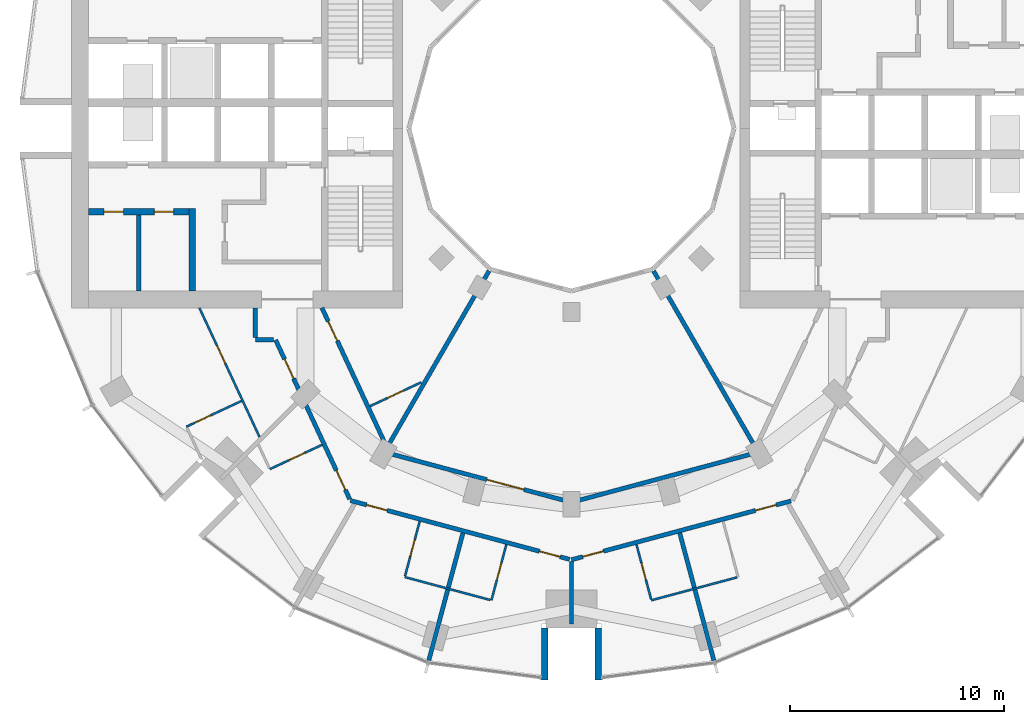
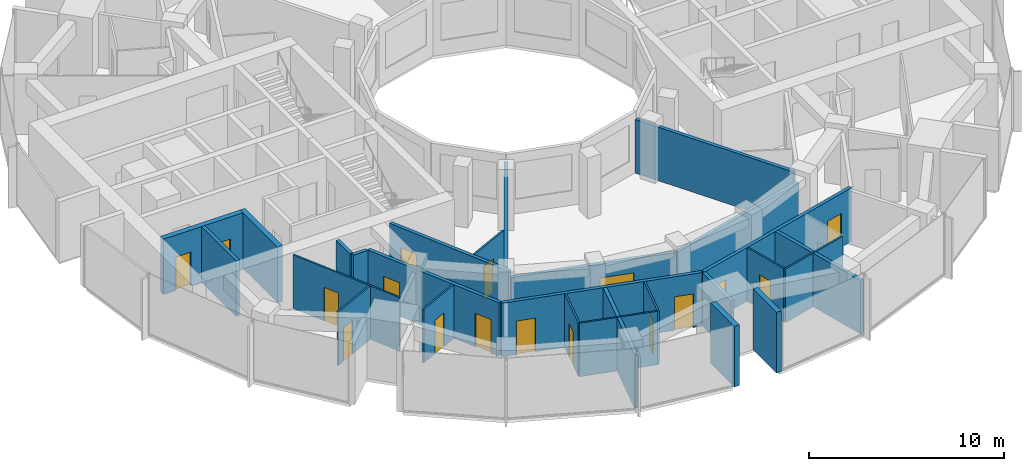
# One storey, part 8 of 15: 27 walls, 17 doors, 17 openings.
"""IFC4 building model written with IfcOpenShell, lengths in metres."""

from ifc_helpers import new_model, si_unit, direction, frame, frame_2d, origin, place, context, subcontext, project, spatial, rectangle, extrude, material, layer, layer_set, type_object, element, fill, save


model = new_model("IFC4")

# Units and contexts
model_context = context("Model", 3, precision=1e-05, world=origin(), true_north=direction((0.0, 1.0)))
body_context = subcontext(model_context, "Body", "Model", "MODEL_VIEW")
ifc_project = project(units=[si_unit("LENGTHUNIT", "METRE"), si_unit("AREAUNIT", "SQUARE_METRE"), si_unit("VOLUMEUNIT", "CUBIC_METRE"), si_unit("PLANEANGLEUNIT", "RADIAN"), si_unit("MASSUNIT", "GRAM", prefix="KILO")], contexts=[model_context])

# Site, building, storey
site_placement = place(None, origin())
site = spatial("IfcSite", under=ifc_project, at=site_placement, CompositionType="ELEMENT")
building_placement = place(site_placement, origin())
building = spatial("IfcBuilding", under=site, at=building_placement, Name="Torre Brocal", CompositionType="ELEMENT")
storey_placement = place(building_placement, frame((0.0, 0.0, 86.199951171875)))
storey = spatial("IfcBuildingStorey", under=building, at=storey_placement, Name="L19", CompositionType="ELEMENT", Elevation=86.199951171875)

# Walls
ifc_material_1 = material(Name="Masonry block", Category="masonry")
ifc_layer_1 = layer(ifc_material_1, 0.199951171875)
ifc_layer_set_1 = layer_set([ifc_layer_1], Name="Masonry block")
wall_type_1 = type_object("IfcWallType", Name="CORE PARTITION 200", PredefinedType="PARTITIONING", material=ifc_layer_set_1)
wall_1_placement = place(storey_placement, frame((59.75, 70.949951171875, 0.0), z_axis=(0.0, 0.0, 1.0), x_axis=(0.0, -1.0, 0.0)))
element("IfcWall", 1, at=wall_1_placement, inside=storey, type_object=wall_type_1, Name="Wall CP200", PredefinedType="PARTITIONING", context=body_context, shape_type="SweptSolid", body=[
    extrude(rectangle(XDim=3.550048828125, YDim=0.199951171875, at=frame_2d((1.77490234375, 0.0))), origin(), (0.0, 0.0, 1.0), 3.47998046875),
])
ifc_material_2 = material(Name="Concrete C80", Category="concrete")
ifc_layer_2 = layer(ifc_material_2, 0.300048828125)
ifc_layer_set_2 = layer_set([ifc_layer_2], Name="Concrete C80")
wall_type_2 = type_object("IfcWallType", Name="CORE WALL 300 C80", PredefinedType="SHEAR", material=ifc_layer_set_2)
wall_2_placement = place(storey_placement, frame((62.25, 71.25, 0.0), z_axis=(0.0, 0.0, 1.0), x_axis=(0.0, -1.0, 0.0)))
element("IfcWall", 2, at=wall_2_placement, inside=storey, type_object=wall_type_2, Name="Wall CW300-80", PredefinedType="SHEAR", context=body_context, shape_type="SweptSolid", body=[
    extrude(rectangle(XDim=3.85009765625, YDim=0.300048828125, at=frame_2d((1.925048828125, 0.0))), origin(), (0.0, 0.0, 1.0), 3.47998046875),
])

# Wall, openings, doors
wall_3_placement = place(storey_placement, frame((62.10009765625, 71.10009765625, 0.0), z_axis=(0.0, 0.0, 1.0), x_axis=(-1.0, 0.0, 0.0)))
wall_3 = element("IfcWall", 3, at=wall_3_placement, inside=storey, type_object=wall_type_2, Name="Wall CW300-80", PredefinedType="SHEAR", context=body_context, shape_type="SweptSolid", body=[
    extrude(rectangle(XDim=4.7001953125, YDim=0.300048828125, at=frame_2d((2.35009765625, 0.0))), origin(), (0.0, 0.0, 1.0), 3.47998046875),
])
opening_1_placement = place(wall_3_placement, frame((0.72509765625, 0.0, 0.0)))
opening_1 = element("IfcOpeningElement", 4, at=opening_1_placement, cuts=wall_3, Name="Opening W-D05", PredefinedType="OPENING", context=body_context, shape_type="SweptSolid", body=[
    extrude(rectangle(XDim=0.89990234375, YDim=2.10009765625, at=frame_2d((0.449951171875, 1.050048828125))), frame((0.0, 0.159912109375, 0.0), z_axis=(0.0, -1.0, 0.0), x_axis=(1.0, 0.0, 0.0)), (0.0, 0.0, 1.0), 0.320068359375),
])
opening_2_placement = place(wall_3_placement, frame((3.074951171875, 0.0, 0.0)))
opening_2 = element("IfcOpeningElement", 5, at=opening_2_placement, cuts=wall_3, Name="Opening W-D06", PredefinedType="OPENING", context=body_context, shape_type="SweptSolid", body=[
    extrude(rectangle(XDim=0.89990234375, YDim=2.10009765625, at=frame_2d((0.449951171875, 1.050048828125))), frame((0.0, 0.159912109375, 0.0), z_axis=(0.0, -1.0, 0.0), x_axis=(1.0, 0.0, 0.0)), (0.0, 0.0, 1.0), 0.320068359375),
])
ifc_material_3 = material(Name="Steel A653", Category="steel")
door_type_1 = type_object("IfcDoorType", Name="ROOM DOOR FD30S 900X2100", OperationType="SINGLE_SWING_LEFT", PredefinedType="DOOR", material=ifc_material_3)
door_1_placement = place(opening_1_placement, origin())
door_1 = element("IfcDoor", 6, at=door_1_placement, inside=storey, type_object=door_type_1, Name="Door W-D05", OperationType="SINGLE_SWING_RIGHT", OverallHeight=2.10009765625, OverallWidth=0.89990234375, PredefinedType="DOOR", context=body_context, shape_type="SweptSolid", body=[
    extrude(rectangle(XDim=0.89990234375, YDim=2.10009765625, at=frame_2d((0.449951171875, 1.050048828125))), frame((0.0, 0.02490234375, 0.0), z_axis=(0.0, -1.0, 0.0), x_axis=(1.0, 0.0, 0.0)), (0.0, 0.0, 1.0), 0.050048828125),
])
fill(opening_1, door_1)
door_2_placement = place(opening_2_placement, origin())
door_2 = element("IfcDoor", 7, at=door_2_placement, inside=storey, type_object=door_type_1, Name="Door W-D06", OperationType="SINGLE_SWING_LEFT", OverallHeight=2.10009765625, OverallWidth=0.89990234375, PredefinedType="DOOR", context=body_context, shape_type="SweptSolid", body=[
    extrude(rectangle(XDim=0.89990234375, YDim=2.10009765625, at=frame_2d((0.449951171875, 1.050048828125))), frame((0.0, 0.02490234375, 0.0), z_axis=(0.0, -1.0, 0.0), x_axis=(1.0, 0.0, 0.0)), (0.0, 0.0, 1.0), 0.050048828125),
])
fill(opening_2, door_2)

# Walls
ifc_material_4 = material(Name="Concrete C80", Category="concrete")
ifc_layer_3 = layer(ifc_material_4, 0.300048828125)
ifc_layer_set_3 = layer_set([ifc_layer_3], Name="Concrete C80")
wall_type_3 = type_object("IfcWallType", Name="NOTCH RETURN WALL 300 C80", PredefinedType="NOTDEFINED", material=ifc_layer_set_3)
for number, where, z_axis, x_axis, name in (
    (8, (78.75, 51.60009765625, 0.0), (0.0, 0.0, 1.0), (0.0, -1.0, 0.0), "NOTCH RETURN WALL"),
    (9, (81.25, 51.60009765625, 0.0), (0.0, 0.0, 1.0), (0.0, -1.0, 0.0), "NOTCH RETURN WALL"),
):
    element("IfcWall", number, at=place(storey_placement, frame(where, z_axis=z_axis, x_axis=x_axis)), inside=storey, type_object=wall_type_3, Name=name, PredefinedType="NOTDEFINED", context=body_context, shape_type="SweptSolid", body=[
        extrude(rectangle(XDim=2.415771484375, YDim=0.300048828125, at=frame_2d((1.2080078125, 0.0))), origin(), (0.0, 0.0, 1.0), 3.800048828125),
    ])

# Wall, opening, door
ifc_material_5 = material(Name="Gypsum board", Category="Gypsum")
ifc_layer_4 = layer(ifc_material_5, 0.10009765625)
ifc_layer_set_4 = layer_set([ifc_layer_4], Name="Gypsum board")
wall_type_4 = type_object("IfcWallType", Name="PARTITION 100", PredefinedType="PARTITIONING", material=ifc_layer_set_4)
wall_4_placement = place(storey_placement, frame((61.97509765625, 61.037109375, 0.0), z_axis=(0.0, 0.0, 1.0), x_axis=(0.906360368959, 0.422505481125, 0.0)))
wall_4 = element("IfcWall", 10, at=wall_4_placement, inside=storey, type_object=wall_type_4, Name="BATHROOM WALL", PredefinedType="PARTITIONING", context=body_context, shape_type="SweptSolid", body=[
    extrude(rectangle(XDim=2.849365234375, YDim=0.10009765625, at=frame_2d((1.4248046875, 0.0))), origin(), (0.0, 0.0, 1.0), 3.35009765625),
])
opening_3_placement = place(wall_4_placement, frame((0.44970703125, 0.0, 0.0)))
opening_3 = element("IfcOpeningElement", 11, at=opening_3_placement, cuts=wall_4, Name="Opening H05-D40", PredefinedType="OPENING", context=body_context, shape_type="SweptSolid", body=[
    extrude(rectangle(XDim=0.800048828125, YDim=2.10009765625, at=frame_2d((0.39990234375, 1.050048828125))), frame((0.0, 0.06005859375, 0.0), z_axis=(0.0, -1.0, 0.0), x_axis=(1.0, 0.0, 0.0)), (0.0, 0.0, 1.0), 0.1201171875),
])
ifc_material_6 = material(Name="Timber", Category="wood")
door_type_2 = type_object("IfcDoorType", Name="BATHROOM DOOR 800X2100", OperationType="SINGLE_SWING_LEFT", PredefinedType="DOOR", material=ifc_material_6)
door_3_placement = place(opening_3_placement, frame((0.800048828125, 0.0, 0.0), z_axis=(0.0, 0.0, 1.0), x_axis=(-1.0, 0.0, 0.0)))
door_3 = element("IfcDoor", 12, at=door_3_placement, inside=storey, type_object=door_type_2, Name="H05-D40", OperationType="SINGLE_SWING_RIGHT", OverallHeight=2.10009765625, OverallWidth=0.800048828125, PredefinedType="DOOR", context=body_context, shape_type="SweptSolid", body=[
    extrude(rectangle(XDim=0.800048828125, YDim=2.10009765625, at=frame_2d((0.39990234375, 1.050048828125))), frame((0.0, 0.02490234375, 0.0), z_axis=(0.0, -1.0, 0.0), x_axis=(1.0, 0.0, 0.0)), (0.0, 0.0, 1.0), 0.050048828125),
])
fill(opening_3, door_3)

wall_5_placement = place(storey_placement, frame((62.58203125, 66.60009765625, 0.0), z_axis=(0.0, 0.0, 1.0), x_axis=(0.422283870085, -0.906463641337, 0.0)))
wall_5 = element("IfcWall", 13, at=wall_5_placement, inside=storey, type_object=wall_type_4, Name="BATHROOM WALL", PredefinedType="PARTITIONING", context=body_context, shape_type="SweptSolid", body=[
    extrude(rectangle(XDim=6.666015625, YDim=0.10009765625, at=frame_2d((3.3330078125, 0.0))), origin(), (0.0, 0.0, 1.0), 3.35009765625),
])
opening_4_placement = place(wall_5_placement, frame((1.95263671875, 0.0, 0.0)))
opening_4 = element("IfcOpeningElement", 14, at=opening_4_placement, cuts=wall_5, Name="Opening H05-D39", PredefinedType="OPENING", context=body_context, shape_type="SweptSolid", body=[
    extrude(rectangle(XDim=0.89990234375, YDim=2.10009765625, at=frame_2d((0.449951171875, 1.050048828125))), frame((0.0, 0.06005859375, 0.0), z_axis=(0.0, -1.0, 0.0), x_axis=(1.0, 0.0, 0.0)), (0.0, 0.0, 1.0), 0.1201171875),
])
ifc_material_7 = material(Name="Timber", Category="wood")
door_type_3 = type_object("IfcDoorType", Name="ROOM DOOR 900X2100", OperationType="SINGLE_SWING_LEFT", PredefinedType="DOOR", material=ifc_material_7)
door_4_placement = place(opening_4_placement, origin())
door_4 = element("IfcDoor", 15, at=door_4_placement, inside=storey, type_object=door_type_3, Name="H05-D39", OperationType="SINGLE_SWING_LEFT", OverallHeight=2.10009765625, OverallWidth=0.89990234375, PredefinedType="DOOR", context=body_context, shape_type="SweptSolid", body=[
    extrude(rectangle(XDim=0.89990234375, YDim=2.10009765625, at=frame_2d((0.449951171875, 1.050048828125))), frame((0.0, 0.02490234375, 0.0), z_axis=(0.0, -1.0, 0.0), x_axis=(1.0, 0.0, 0.0)), (0.0, 0.0, 1.0), 0.050048828125),
])
fill(opening_4, door_4)

wall_6_placement = place(storey_placement, frame((65.87890625, 59.048095703125, 0.0), z_axis=(0.0, 0.0, 1.0), x_axis=(0.906746039995, 0.421677150144, 0.0)))
wall_6 = element("IfcWall", 16, at=wall_6_placement, inside=storey, type_object=wall_type_4, Name="BATHROOM WALL", PredefinedType="PARTITIONING", context=body_context, shape_type="SweptSolid", body=[
    extrude(rectangle(XDim=2.69970703125, YDim=0.10009765625, at=frame_2d((1.349853515625, 0.0))), origin(), (0.0, 0.0, 1.0), 3.35009765625),
])
opening_5_placement = place(wall_6_placement, frame((1.0, 0.0, 0.0)))
opening_5 = element("IfcOpeningElement", 17, at=opening_5_placement, cuts=wall_6, Name="Opening H05-D37", PredefinedType="OPENING", context=body_context, shape_type="SweptSolid", body=[
    extrude(rectangle(XDim=0.800048828125, YDim=2.10009765625, at=frame_2d((0.39990234375, 1.050048828125))), frame((0.0, 0.06005859375, 0.0), z_axis=(0.0, -1.0, 0.0), x_axis=(1.0, 0.0, 0.0)), (0.0, 0.0, 1.0), 0.1201171875),
])
door_5_placement = place(opening_5_placement, origin())
door_5 = element("IfcDoor", 18, at=door_5_placement, inside=storey, type_object=door_type_2, Name="H05-D37", OperationType="SINGLE_SWING_RIGHT", OverallHeight=2.10009765625, OverallWidth=0.800048828125, PredefinedType="DOOR", context=body_context, shape_type="SweptSolid", body=[
    extrude(rectangle(XDim=0.800048828125, YDim=2.10009765625, at=frame_2d((0.39990234375, 1.050048828125))), frame((0.0, 0.02490234375, 0.0), z_axis=(0.0, -1.0, 0.0), x_axis=(1.0, 0.0, 0.0)), (0.0, 0.0, 1.0), 0.050048828125),
])
fill(opening_5, door_5)

wall_7_placement = place(storey_placement, frame((70.57373046875, 61.997314453125, 0.0), z_axis=(0.0, 0.0, 1.0), x_axis=(0.906503026865, 0.422199315826, 0.0)))
wall_7 = element("IfcWall", 19, at=wall_7_placement, inside=storey, type_object=wall_type_4, Name="BATHROOM WALL", PredefinedType="PARTITIONING", context=body_context, shape_type="SweptSolid", body=[
    extrude(rectangle(XDim=2.649658203125, YDim=0.10009765625, at=frame_2d((1.32470703125, 0.0))), origin(), (0.0, 0.0, 1.0), 3.35009765625),
])
opening_6_placement = place(wall_7_placement, frame((0.89990234375, 0.0, 0.0)))
opening_6 = element("IfcOpeningElement", 20, at=opening_6_placement, cuts=wall_7, Name="Opening H05-D45", PredefinedType="OPENING", context=body_context, shape_type="SweptSolid", body=[
    extrude(rectangle(XDim=0.800048828125, YDim=2.10009765625, at=frame_2d((0.39990234375, 1.050048828125))), frame((0.0, 0.06005859375, 0.0), z_axis=(0.0, -1.0, 0.0), x_axis=(1.0, 0.0, 0.0)), (0.0, 0.0, 1.0), 0.1201171875),
])
door_6_placement = place(opening_6_placement, frame((0.800048828125, 0.0, 0.0), z_axis=(0.0, 0.0, 1.0), x_axis=(-1.0, 0.0, 0.0)))
door_6 = element("IfcDoor", 21, at=door_6_placement, inside=storey, type_object=door_type_2, Name="H05-D45", OperationType="SINGLE_SWING_RIGHT", OverallHeight=2.10009765625, OverallWidth=0.800048828125, PredefinedType="DOOR", context=body_context, shape_type="SweptSolid", body=[
    extrude(rectangle(XDim=0.800048828125, YDim=2.10009765625, at=frame_2d((0.39990234375, 1.050048828125))), frame((0.0, 0.02490234375, 0.0), z_axis=(0.0, -1.0, 0.0), x_axis=(1.0, 0.0, 0.0)), (0.0, 0.0, 1.0), 0.050048828125),
])
fill(opening_6, door_6)

wall_8_placement = place(storey_placement, frame((72.2109375, 54.044189453125, 0.0), z_axis=(0.0, 0.0, 1.0), x_axis=(0.258866552082, 0.96591309558, 0.0)))
wall_8 = element("IfcWall", 22, at=wall_8_placement, inside=storey, type_object=wall_type_4, Name="BATHROOM WALL", PredefinedType="PARTITIONING", context=body_context, shape_type="SweptSolid", body=[
    extrude(rectangle(XDim=2.650146484375, YDim=0.10009765625, at=frame_2d((1.3251953125, 0.0))), origin(), (0.0, 0.0, 1.0), 3.35009765625),
])
opening_7_placement = place(wall_8_placement, frame((0.9501953125, 0.0, 0.0)))
opening_7 = element("IfcOpeningElement", 23, at=opening_7_placement, cuts=wall_8, Name="Opening H05-D35", PredefinedType="OPENING", context=body_context, shape_type="SweptSolid", body=[
    extrude(rectangle(XDim=0.800048828125, YDim=2.10009765625, at=frame_2d((0.39990234375, 1.050048828125))), frame((0.0, 0.06005859375, 0.0), z_axis=(0.0, -1.0, 0.0), x_axis=(1.0, 0.0, 0.0)), (0.0, 0.0, 1.0), 0.1201171875),
])
door_7_placement = place(opening_7_placement, frame((0.800048828125, 0.0, 0.0), z_axis=(0.0, 0.0, 1.0), x_axis=(-1.0, 0.0, 0.0)))
door_7 = element("IfcDoor", 24, at=door_7_placement, inside=storey, type_object=door_type_2, Name="H05-D35", OperationType="SINGLE_SWING_LEFT", OverallHeight=2.10009765625, OverallWidth=0.800048828125, PredefinedType="DOOR", context=body_context, shape_type="SweptSolid", body=[
    extrude(rectangle(XDim=0.800048828125, YDim=2.10009765625, at=frame_2d((0.39990234375, 1.050048828125))), frame((0.0, 0.02490234375, 0.0), z_axis=(0.0, -1.0, 0.0), x_axis=(1.0, 0.0, 0.0)), (0.0, 0.0, 1.0), 0.050048828125),
])
fill(opening_7, door_7)

# Wall
wall_9_placement = place(storey_placement, frame((72.197998046875, 53.99609375, 0.0), z_axis=(0.0, 0.0, 1.0), x_axis=(0.965855045962, -0.259083056549, 0.0)))
element("IfcWall", 25, at=wall_9_placement, inside=storey, type_object=wall_type_4, Name="BATHROOM WALL", PredefinedType="PARTITIONING", context=body_context, shape_type="SweptSolid", body=[
    extrude(rectangle(XDim=4.14990234375, YDim=0.10009765625, at=frame_2d((2.074951171875, 0.0))), origin(), (0.0, 0.0, 1.0), 3.35009765625),
])

# Wall, opening, door
wall_10_placement = place(storey_placement, frame((76.2548828125, 52.908935546875, 0.0), z_axis=(0.0, 0.0, 1.0), x_axis=(0.25867580527, 0.965964195904, 0.0)))
wall_10 = element("IfcWall", 26, at=wall_10_placement, inside=storey, type_object=wall_type_4, Name="BATHROOM WALL", PredefinedType="PARTITIONING", context=body_context, shape_type="SweptSolid", body=[
    extrude(rectangle(XDim=2.69921875, YDim=0.10009765625, at=frame_2d((1.349609375, 0.0))), origin(), (0.0, 0.0, 1.0), 3.35009765625),
])
opening_8_placement = place(wall_10_placement, frame((0.99951171875, 0.0, 0.0)))
opening_8 = element("IfcOpeningElement", 27, at=opening_8_placement, cuts=wall_10, Name="Opening H05-D33", PredefinedType="OPENING", context=body_context, shape_type="SweptSolid", body=[
    extrude(rectangle(XDim=0.800048828125, YDim=2.10009765625, at=frame_2d((0.39990234375, 1.050048828125))), frame((0.0, 0.06005859375, 0.0), z_axis=(0.0, -1.0, 0.0), x_axis=(1.0, 0.0, 0.0)), (0.0, 0.0, 1.0), 0.1201171875),
])
door_8_placement = place(opening_8_placement, origin())
door_8 = element("IfcDoor", 28, at=door_8_placement, inside=storey, type_object=door_type_2, Name="H05-D33", OperationType="SINGLE_SWING_RIGHT", OverallHeight=2.10009765625, OverallWidth=0.800048828125, PredefinedType="DOOR", context=body_context, shape_type="SweptSolid", body=[
    extrude(rectangle(XDim=0.800048828125, YDim=2.10009765625, at=frame_2d((0.39990234375, 1.050048828125))), frame((0.0, 0.02490234375, 0.0), z_axis=(0.0, -1.0, 0.0), x_axis=(1.0, 0.0, 0.0)), (0.0, 0.0, 1.0), 0.050048828125),
])
fill(opening_8, door_8)

wall_11_placement = place(storey_placement, frame((83.046875, 55.516357421875, 0.0), z_axis=(0.0, 0.0, 1.0), x_axis=(0.258677737588, -0.965963678446, 0.0)))
wall_11 = element("IfcWall", 29, at=wall_11_placement, inside=storey, type_object=wall_type_4, Name="BATHROOM WALL", PredefinedType="PARTITIONING", context=body_context, shape_type="SweptSolid", body=[
    extrude(rectangle(XDim=2.649169921875, YDim=0.10009765625, at=frame_2d((1.32470703125, 0.0))), origin(), (0.0, 0.0, 1.0), 3.35009765625),
])
opening_9_placement = place(wall_11_placement, frame((0.899658203125, 0.0, 0.0)))
opening_9 = element("IfcOpeningElement", 30, at=opening_9_placement, cuts=wall_11, Name="Opening H05-D31", PredefinedType="OPENING", context=body_context, shape_type="SweptSolid", body=[
    extrude(rectangle(XDim=0.800048828125, YDim=2.10009765625, at=frame_2d((0.39990234375, 1.050048828125))), frame((0.0, 0.06005859375, 0.0), z_axis=(0.0, -1.0, 0.0), x_axis=(1.0, 0.0, 0.0)), (0.0, 0.0, 1.0), 0.1201171875),
])
door_9_placement = place(opening_9_placement, origin())
door_9 = element("IfcDoor", 31, at=door_9_placement, inside=storey, type_object=door_type_2, Name="H05-D31", OperationType="SINGLE_SWING_LEFT", OverallHeight=2.10009765625, OverallWidth=0.800048828125, PredefinedType="DOOR", context=body_context, shape_type="SweptSolid", body=[
    extrude(rectangle(XDim=0.800048828125, YDim=2.10009765625, at=frame_2d((0.39990234375, 1.050048828125))), frame((0.0, 0.02490234375, 0.0), z_axis=(0.0, -1.0, 0.0), x_axis=(1.0, 0.0, 0.0)), (0.0, 0.0, 1.0), 0.050048828125),
])
fill(opening_9, door_9)

# Walls
wall_12_placement = place(storey_placement, frame((83.7451171875, 52.908935546875, 0.0), z_axis=(0.0, 0.0, 1.0), x_axis=(0.965995295758, 0.258559642196, 0.0)))
element("IfcWall", 32, at=wall_12_placement, inside=storey, type_object=wall_type_4, Name="BATHROOM WALL", PredefinedType="PARTITIONING", context=body_context, shape_type="SweptSolid", body=[
    extrude(rectangle(XDim=4.14990234375, YDim=0.10009765625, at=frame_2d((2.074951171875, 0.0))), origin(), (0.0, 0.0, 1.0), 3.35009765625),
])
ifc_material_8 = material(Name="Gypsum board", Category="Gypsum")
ifc_layer_5 = layer(ifc_material_8, 0.199951171875)
ifc_layer_set_5 = layer_set([ifc_layer_5], Name="Gypsum board")
wall_type_5 = type_object("IfcWallType", Name="PARTITION 200 EI60", PredefinedType="PARTITIONING", material=ifc_layer_set_5)
wall_13_placement = place(storey_placement, frame((65.199951171875, 65.199951171875, 0.0), z_axis=(0.0, 0.0, 1.0), x_axis=(0.0, 1.0, 0.0)))
element("IfcWall", 33, at=wall_13_placement, inside=storey, type_object=wall_type_5, Name="FLAT ENTRANCE WALL", PredefinedType="PARTITIONING", context=body_context, shape_type="SweptSolid", body=[
    extrude(rectangle(XDim=1.399169921875, YDim=0.199951171875, at=frame_2d((0.69970703125, 0.0))), origin(), (0.0, 0.0, 1.0), 3.35009765625),
])
wall_14_placement = place(storey_placement, frame((65.199951171875, 65.10009765625, 0.0), z_axis=(0.0, 0.0, 1.0), x_axis=(1.0, 0.0, 0.0)))
element("IfcWall", 34, at=wall_14_placement, inside=storey, type_object=wall_type_5, Name="FLAT ENTRANCE WALL", PredefinedType="PARTITIONING", context=body_context, shape_type="SweptSolid", body=[
    extrude(rectangle(XDim=0.859130859375, YDim=0.199951171875, at=frame_2d((0.4296875, 0.0))), origin(), (0.0, 0.0, 1.0), 3.35009765625),
])

# Wall, openings, doors
wall_15_placement = place(storey_placement, frame((66.150390625, 65.10009765625, 0.0), z_axis=(0.0, 0.0, 1.0), x_axis=(0.421874842351, -0.906654078131, 0.0)))
wall_15 = element("IfcWall", 35, at=wall_15_placement, inside=storey, type_object=wall_type_5, Name="FLAT ENTRANCE WALL", PredefinedType="PARTITIONING", context=body_context, shape_type="SweptSolid", body=[
    extrude(rectangle(XDim=8.22802734375, YDim=0.199951171875, at=frame_2d((4.114013671875, 0.0))), origin(), (0.0, 0.0, 1.0), 3.35009765625),
])
opening_10_placement = place(wall_15_placement, frame((6.748291015625, 0.0, 0.0)))
opening_10 = element("IfcOpeningElement", 36, at=opening_10_placement, cuts=wall_15, Name="Opening H05-D36", PredefinedType="OPENING", context=body_context, shape_type="SweptSolid", body=[
    extrude(rectangle(XDim=1.0, YDim=2.10009765625, at=frame_2d((0.5, 1.050048828125))), frame((0.0, 0.10986328125, 0.0), z_axis=(0.0, -1.0, 0.0), x_axis=(1.0, 0.0, 0.0)), (0.0, 0.0, 1.0), 0.219970703125),
])
opening_11_placement = place(wall_15_placement, frame((0.99658203125, 0.0, 0.0)))
opening_11 = element("IfcOpeningElement", 37, at=opening_11_placement, cuts=wall_15, Name="Opening H05-D38", PredefinedType="OPENING", context=body_context, shape_type="SweptSolid", body=[
    extrude(rectangle(XDim=1.0, YDim=2.10009765625, at=frame_2d((0.5, 1.050048828125))), frame((0.0, 0.10986328125, 0.0), z_axis=(0.0, -1.0, 0.0), x_axis=(1.0, 0.0, 0.0)), (0.0, 0.0, 1.0), 0.219970703125),
])
ifc_material_9 = material(Name="Timber", Category="wood")
door_type_4 = type_object("IfcDoorType", Name="FLAT ENTRY DOOR FD30S 1000X2100", OperationType="SINGLE_SWING_RIGHT", PredefinedType="DOOR", material=ifc_material_9)
door_10_placement = place(opening_10_placement, frame((1.0, 0.0, 0.0), z_axis=(0.0, 0.0, 1.0), x_axis=(-1.0, 0.0, 0.0)))
door_10 = element("IfcDoor", 38, at=door_10_placement, inside=storey, type_object=door_type_4, Name="H05-D36", OperationType="SINGLE_SWING_LEFT", OverallHeight=2.10009765625, OverallWidth=1.0, PredefinedType="DOOR", context=body_context, shape_type="SweptSolid", body=[
    extrude(rectangle(XDim=1.0, YDim=2.10009765625, at=frame_2d((0.5, 1.050048828125))), frame((0.0, 0.02490234375, 0.0), z_axis=(0.0, -1.0, 0.0), x_axis=(1.0, 0.0, 0.0)), (0.0, 0.0, 1.0), 0.050048828125),
])
fill(opening_10, door_10)
door_11_placement = place(opening_11_placement, frame((1.0, 0.0, 0.0), z_axis=(0.0, 0.0, 1.0), x_axis=(-1.0, 0.0, 0.0)))
door_11 = element("IfcDoor", 39, at=door_11_placement, inside=storey, type_object=door_type_4, Name="H05-D38", OperationType="SINGLE_SWING_LEFT", OverallHeight=2.10009765625, OverallWidth=1.0, PredefinedType="DOOR", context=body_context, shape_type="SweptSolid", body=[
    extrude(rectangle(XDim=1.0, YDim=2.10009765625, at=frame_2d((0.5, 1.050048828125))), frame((0.0, 0.02490234375, 0.0), z_axis=(0.0, -1.0, 0.0), x_axis=(1.0, 0.0, 0.0)), (0.0, 0.0, 1.0), 0.050048828125),
])
fill(opening_11, door_11)

# Wall, opening, door
wall_16_placement = place(storey_placement, frame((68.32080078125, 66.600341796875, 0.0), z_axis=(0.0, 0.0, 1.0), x_axis=(0.421914092414, -0.906635813666, 0.0)))
wall_16 = element("IfcWall", 40, at=wall_16_placement, inside=storey, type_object=wall_type_5, Name="GUESTROOM CORRIDOR WALL", PredefinedType="PARTITIONING", context=body_context, shape_type="SweptSolid", body=[
    extrude(rectangle(XDim=7.45947265625, YDim=0.199951171875, at=frame_2d((3.729736328125, 0.0))), origin(), (0.0, 0.0, 1.0), 3.35009765625),
])
opening_12_placement = place(wall_16_placement, frame((0.699951171875, 0.0, 0.0)))
opening_12 = element("IfcOpeningElement", 41, at=opening_12_placement, cuts=wall_16, Name="Opening H05-D44", PredefinedType="OPENING", context=body_context, shape_type="SweptSolid", body=[
    extrude(rectangle(XDim=1.0, YDim=2.10009765625, at=frame_2d((0.5, 1.050048828125))), frame((0.0, 0.10986328125, 0.0), z_axis=(0.0, -1.0, 0.0), x_axis=(1.0, 0.0, 0.0)), (0.0, 0.0, 1.0), 0.219970703125),
])
door_12_placement = place(opening_12_placement, origin())
door_12 = element("IfcDoor", 42, at=door_12_placement, inside=storey, type_object=door_type_4, Name="H05-D44", OperationType="SINGLE_SWING_LEFT", OverallHeight=2.10009765625, OverallWidth=1.0, PredefinedType="DOOR", context=body_context, shape_type="SweptSolid", body=[
    extrude(rectangle(XDim=1.0, YDim=2.10009765625, at=frame_2d((0.5, 1.050048828125))), frame((0.0, 0.02490234375, 0.0), z_axis=(0.0, -1.0, 0.0), x_axis=(1.0, 0.0, 0.0)), (0.0, 0.0, 1.0), 0.050048828125),
])
fill(opening_12, door_12)

# Wall, openings, doors
wall_17_placement = place(storey_placement, frame((69.652099609375, 57.57763671875, 0.0), z_axis=(0.0, 0.0, 1.0), x_axis=(0.965857425723, -0.259074184695, 0.0)))
wall_17 = element("IfcWall", 43, at=wall_17_placement, inside=storey, type_object=wall_type_5, Name="GUESTROOM CORRIDOR WALL", PredefinedType="PARTITIONING", context=body_context, shape_type="SweptSolid", body=[
    extrude(rectangle(XDim=10.623291015625, YDim=0.199951171875, at=frame_2d((5.3115234375, 0.0))), origin(), (0.0, 0.0, 1.0), 3.35009765625),
])
opening_13_placement = place(wall_17_placement, frame((9.1630859375, 0.0, 0.0)))
opening_13 = element("IfcOpeningElement", 44, at=opening_13_placement, cuts=wall_17, Name="Opening H05-D32", PredefinedType="OPENING", context=body_context, shape_type="SweptSolid", body=[
    extrude(rectangle(XDim=1.0, YDim=2.10009765625, at=frame_2d((0.5, 1.050048828125))), frame((0.0, 0.10986328125, 0.0), z_axis=(0.0, -1.0, 0.0), x_axis=(1.0, 0.0, 0.0)), (0.0, 0.0, 1.0), 0.219970703125),
])
opening_14_placement = place(wall_17_placement, frame((0.7880859375, 0.0, 0.0)))
opening_14 = element("IfcOpeningElement", 45, at=opening_14_placement, cuts=wall_17, Name="Opening H05-D34", PredefinedType="OPENING", context=body_context, shape_type="SweptSolid", body=[
    extrude(rectangle(XDim=1.0, YDim=2.10009765625, at=frame_2d((0.5, 1.050048828125))), frame((0.0, 0.10986328125, 0.0), z_axis=(0.0, -1.0, 0.0), x_axis=(1.0, 0.0, 0.0)), (0.0, 0.0, 1.0), 0.219970703125),
])
door_13_placement = place(opening_13_placement, frame((1.0, 0.0, 0.0), z_axis=(0.0, 0.0, 1.0), x_axis=(-1.0, 0.0, 0.0)))
door_13 = element("IfcDoor", 46, at=door_13_placement, inside=storey, type_object=door_type_4, Name="H05-D32", OperationType="SINGLE_SWING_LEFT", OverallHeight=2.10009765625, OverallWidth=1.0, PredefinedType="DOOR", context=body_context, shape_type="SweptSolid", body=[
    extrude(rectangle(XDim=1.0, YDim=2.10009765625, at=frame_2d((0.5, 1.050048828125))), frame((0.0, 0.02490234375, 0.0), z_axis=(0.0, -1.0, 0.0), x_axis=(1.0, 0.0, 0.0)), (0.0, 0.0, 1.0), 0.050048828125),
])
fill(opening_13, door_13)
door_14_placement = place(opening_14_placement, frame((1.0, 0.0, 0.0), z_axis=(0.0, 0.0, 1.0), x_axis=(-1.0, 0.0, 0.0)))
door_14 = element("IfcDoor", 47, at=door_14_placement, inside=storey, type_object=door_type_4, Name="H05-D34", OperationType="SINGLE_SWING_RIGHT", OverallHeight=2.10009765625, OverallWidth=1.0, PredefinedType="DOOR", context=body_context, shape_type="SweptSolid", body=[
    extrude(rectangle(XDim=1.0, YDim=2.10009765625, at=frame_2d((0.5, 1.050048828125))), frame((0.0, 0.02490234375, 0.0), z_axis=(0.0, -1.0, 0.0), x_axis=(1.0, 0.0, 0.0)), (0.0, 0.0, 1.0), 0.050048828125),
])
fill(opening_14, door_14)

# Walls
wall_18_placement = place(storey_placement, frame((71.45947265625, 60.21826171875, 0.0), z_axis=(0.0, 0.0, 1.0), x_axis=(0.500232027118, 0.865891401416, 0.0)))
element("IfcWall", 48, at=wall_18_placement, inside=storey, type_object=wall_type_5, Name="BATHROOM WALL", PredefinedType="PARTITIONING", context=body_context, shape_type="SweptSolid", body=[
    extrude(rectangle(XDim=9.3720703125, YDim=0.199951171875, at=frame_2d((4.68603515625, 0.0))), origin(), (0.0, 0.0, 1.0), 3.35009765625),
])
wall_19_placement = place(storey_placement, frame((73.32080078125, 50.081298828125, 0.0), z_axis=(0.0, 0.0, 1.0), x_axis=(0.258886797764, 0.965907669471, 0.0)))
element("IfcWall", 49, at=wall_19_placement, inside=storey, type_object=wall_type_5, Name="BATHROOM WALL", PredefinedType="PARTITIONING", context=body_context, shape_type="SweptSolid", body=[
    extrude(rectangle(XDim=6.1806640625, YDim=0.199951171875, at=frame_2d((3.09033203125, 0.0))), origin(), (0.0, 0.0, 1.0), 3.35009765625),
])
wall_20_placement = place(storey_placement, frame((80.0, 51.800048828125, 0.0), z_axis=(0.0, 0.0, 1.0), x_axis=(0.0, 1.0, 0.0)))
element("IfcWall", 50, at=wall_20_placement, inside=storey, type_object=wall_type_5, Name="PARTY PARTITION", PredefinedType="PARTITIONING", context=body_context, shape_type="SweptSolid", body=[
    extrude(rectangle(XDim=2.9140625, YDim=0.199951171875, at=frame_2d((1.45703125, 0.0))), origin(), (0.0, 0.0, 1.0), 3.35009765625),
])

# Wall, openings, doors
wall_21_placement = place(storey_placement, frame((79.999755859375, 54.804931640625, 0.0), z_axis=(0.0, 0.0, 1.0), x_axis=(0.965962177934, 0.258683340788, 0.0)))
wall_21 = element("IfcWall", 51, at=wall_21_placement, inside=storey, type_object=wall_type_5, Name="GUESTROOM CORRIDOR WALL", PredefinedType="PARTITIONING", context=body_context, shape_type="SweptSolid", body=[
    extrude(rectangle(XDim=10.64306640625, YDim=0.199951171875, at=frame_2d((5.321533203125, 0.0))), origin(), (0.0, 0.0, 1.0), 3.35009765625),
])
opening_15_placement = place(wall_21_placement, frame((8.9248046875, 0.0, 0.0)))
opening_15 = element("IfcOpeningElement", 52, at=opening_15_placement, cuts=wall_21, Name="Opening H05-D28", PredefinedType="OPENING", context=body_context, shape_type="SweptSolid", body=[
    extrude(rectangle(XDim=1.0, YDim=2.10009765625, at=frame_2d((0.5, 1.050048828125))), frame((0.0, 0.10986328125, 0.0), z_axis=(0.0, -1.0, 0.0), x_axis=(1.0, 0.0, 0.0)), (0.0, 0.0, 1.0), 0.219970703125),
])
opening_16_placement = place(wall_21_placement, frame((0.550048828125, 0.0, 0.0)))
opening_16 = element("IfcOpeningElement", 53, at=opening_16_placement, cuts=wall_21, Name="Opening H05-D30", PredefinedType="OPENING", context=body_context, shape_type="SweptSolid", body=[
    extrude(rectangle(XDim=1.0, YDim=2.10009765625, at=frame_2d((0.5, 1.050048828125))), frame((0.0, 0.10986328125, 0.0), z_axis=(0.0, -1.0, 0.0), x_axis=(1.0, 0.0, 0.0)), (0.0, 0.0, 1.0), 0.219970703125),
])
door_15_placement = place(opening_15_placement, frame((1.0, 0.0, 0.0), z_axis=(0.0, 0.0, 1.0), x_axis=(-1.0, 0.0, 0.0)))
door_15 = element("IfcDoor", 54, at=door_15_placement, inside=storey, type_object=door_type_4, Name="H05-D28", OperationType="SINGLE_SWING_LEFT", OverallHeight=2.10009765625, OverallWidth=1.0, PredefinedType="DOOR", context=body_context, shape_type="SweptSolid", body=[
    extrude(rectangle(XDim=1.0, YDim=2.10009765625, at=frame_2d((0.5, 1.050048828125))), frame((0.0, 0.02490234375, 0.0), z_axis=(0.0, -1.0, 0.0), x_axis=(1.0, 0.0, 0.0)), (0.0, 0.0, 1.0), 0.050048828125),
])
fill(opening_15, door_15)
door_16_placement = place(opening_16_placement, frame((1.0, 0.0, 0.0), z_axis=(0.0, 0.0, 1.0), x_axis=(-1.0, 0.0, 0.0)))
door_16 = element("IfcDoor", 55, at=door_16_placement, inside=storey, type_object=door_type_4, Name="H05-D30", OperationType="SINGLE_SWING_RIGHT", OverallHeight=2.10009765625, OverallWidth=1.0, PredefinedType="DOOR", context=body_context, shape_type="SweptSolid", body=[
    extrude(rectangle(XDim=1.0, YDim=2.10009765625, at=frame_2d((0.5, 1.050048828125))), frame((0.0, 0.02490234375, 0.0), z_axis=(0.0, -1.0, 0.0), x_axis=(1.0, 0.0, 0.0)), (0.0, 0.0, 1.0), 0.050048828125),
])
fill(opening_16, door_16)

# Walls
wall_22_placement = place(storey_placement, frame((83.84619140625, 68.330078125, 0.0), z_axis=(0.0, 0.0, 1.0), x_axis=(0.499822319857, -0.866127963163, 0.0)))
element("IfcWall", 56, at=wall_22_placement, inside=storey, type_object=wall_type_5, Name="BATHROOM WALL", PredefinedType="PARTITIONING", context=body_context, shape_type="SweptSolid", body=[
    extrude(rectangle(XDim=9.38232421875, YDim=0.199951171875, at=frame_2d((4.691162109375, 0.0))), origin(), (0.0, 0.0, 1.0), 3.35009765625),
])
wall_23_placement = place(storey_placement, frame((85.07177734375, 56.0595703125, 0.0), z_axis=(0.0, 0.0, 1.0), x_axis=(0.258703231129, -0.965956851109, 0.0)))
element("IfcWall", 57, at=wall_23_placement, inside=storey, type_object=wall_type_5, Name="BATHROOM WALL", PredefinedType="PARTITIONING", context=body_context, shape_type="SweptSolid", body=[
    extrude(rectangle(XDim=6.190673828125, YDim=0.199951171875, at=frame_2d((3.09521484375, 0.0))), origin(), (0.0, 0.0, 1.0), 3.35009765625),
])

# Wall, opening, door
ifc_material_10 = material(Name="Gypsum board", Category="Gypsum")
ifc_layer_6 = layer(ifc_material_10, 0.199951171875)
ifc_layer_set_6 = layer_set([ifc_layer_6], Name="Gypsum board")
wall_type_6 = type_object("IfcWallType", Name="PARTITION 200 EI60 UNDER BEAM 820", PredefinedType="PARTITIONING", material=ifc_layer_set_6)
wall_24_placement = place(storey_placement, frame((71.498046875, 59.774169921875, 0.0), z_axis=(0.0, 0.0, 1.0), x_axis=(0.965911938046, -0.258870871168, 0.0)))
wall_24 = element("IfcWall", 58, at=wall_24_placement, inside=storey, type_object=wall_type_6, Name="GUESTROOM CORRIDOR WALL", PredefinedType="PARTITIONING", context=body_context, shape_type="SweptSolid", body=[
    extrude(rectangle(XDim=8.751953125, YDim=0.199951171875, at=frame_2d((4.3759765625, 0.0))), origin(), (0.0, 0.0, 1.0), 2.97998046875),
])
opening_17_placement = place(wall_24_placement, frame((4.700927734375, 0.0, 0.0)))
opening_17 = element("IfcOpeningElement", 59, at=opening_17_placement, cuts=wall_24, Name="Opening H05-D43", PredefinedType="OPENING", context=body_context, shape_type="SweptSolid", body=[
    extrude(rectangle(XDim=1.800048828125, YDim=2.10009765625, at=frame_2d((0.89990234375, 1.050048828125))), frame((0.0, 0.10986328125, 0.0), z_axis=(0.0, -1.0, 0.0), x_axis=(1.0, 0.0, 0.0)), (0.0, 0.0, 1.0), 0.219970703125),
])
ifc_material_11 = material(Name="Timber", Category="wood")
door_type_5 = type_object("IfcDoorType", Name="DOUBLE DOOR 1800X2100", OperationType="DOUBLE_DOOR_SINGLE_SWING", PredefinedType="DOOR", material=ifc_material_11)
door_17_placement = place(opening_17_placement, origin())
door_17 = element("IfcDoor", 60, at=door_17_placement, inside=storey, type_object=door_type_5, Name="H05-D43", OperationType="DOUBLE_DOOR_SINGLE_SWING", OverallHeight=2.10009765625, OverallWidth=1.800048828125, PredefinedType="DOOR", context=body_context, shape_type="SweptSolid", body=[
    extrude(rectangle(XDim=1.800048828125, YDim=2.10009765625, at=frame_2d((0.89990234375, 1.050048828125))), frame((0.0, 0.02490234375, 0.0), z_axis=(0.0, -1.0, 0.0), x_axis=(1.0, 0.0, 0.0)), (0.0, 0.0, 1.0), 0.050048828125),
])
fill(opening_17, door_17)

# Wall
wall_25_placement = place(storey_placement, frame((80.0, 57.495849609375, 0.0), z_axis=(0.0, 0.0, 1.0), x_axis=(0.96592471314, 0.258823199396, 0.0)))
element("IfcWall", 61, at=wall_25_placement, inside=storey, type_object=wall_type_6, Name="GUESTROOM CORRIDOR WALL", PredefinedType="PARTITIONING", context=body_context, shape_type="SweptSolid", body=[
    extrude(rectangle(XDim=8.73193359375, YDim=0.199951171875, at=frame_2d((4.365966796875, 0.0))), origin(), (0.0, 0.0, 1.0), 2.97998046875),
])

save(model, "model.ifc")
